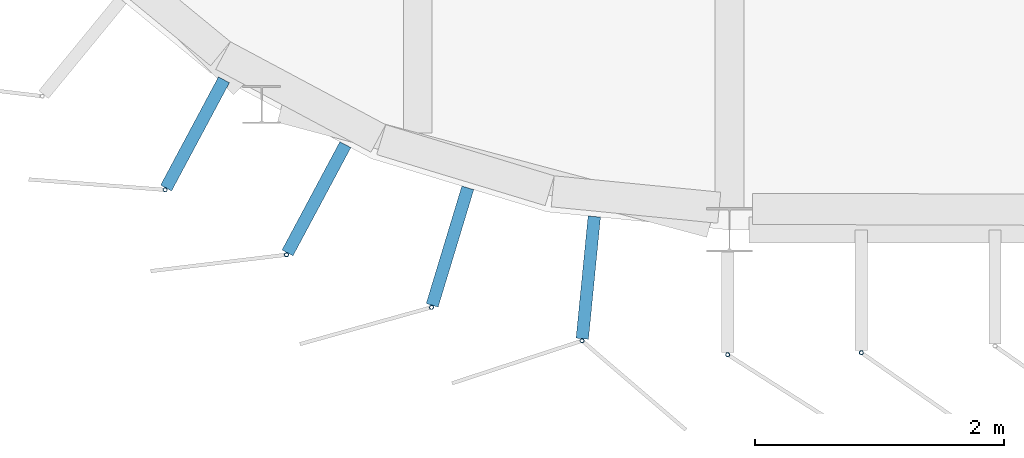
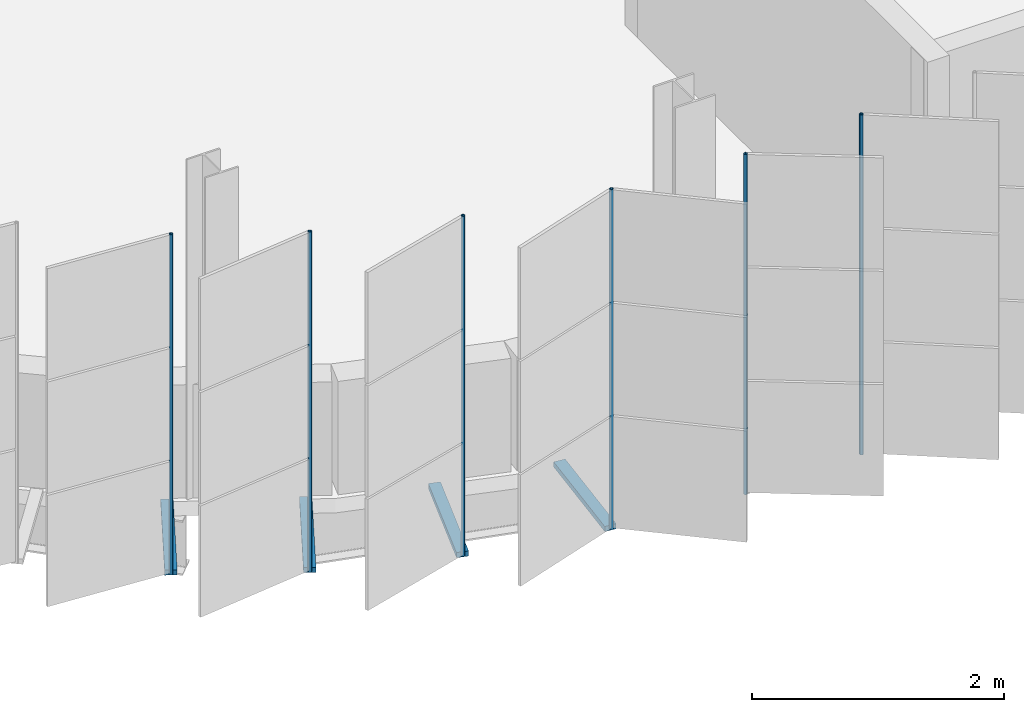
# One storey, part 82 of 214: 10 discrete accessories.
"""IFC4 building model written with IfcOpenShell, lengths in metres."""

from ifc_helpers import new_model, si_unit, direction, frame, origin, origin_2d, place, context, subcontext, project, spatial, rectangle, hollow_circle, extrude, material, material_profile, profile_set, type_object, element, save


model = new_model("IFC4")

# Units and contexts
model_context = context("Model", 3, precision=1e-05, world=origin(), true_north=direction((0.0, 1.0)))
body_context = subcontext(model_context, "Body", "Model", "MODEL_VIEW")
ifc_project = project(units=[si_unit("LENGTHUNIT", "METRE"), si_unit("AREAUNIT", "SQUARE_METRE"), si_unit("VOLUMEUNIT", "CUBIC_METRE"), si_unit("PLANEANGLEUNIT", "RADIAN"), si_unit("MASSUNIT", "GRAM", prefix="KILO")], contexts=[model_context])

# Site, building, storey
site_placement = place(None, origin())
site = spatial("IfcSite", under=ifc_project, at=site_placement, CompositionType="ELEMENT")
building_placement = place(site_placement, origin())
building = spatial("IfcBuilding", under=site, at=building_placement, Name="Parallax Yard Mobility Hub", CompositionType="ELEMENT")
storey_placement = place(building_placement, frame((0.0, 0.0, 3.300048828125)))
storey = spatial("IfcBuildingStorey", under=building, at=storey_placement, Name="L01", CompositionType="ELEMENT", Elevation=3.300048828125)

# Discrete accessories
ifc_material_1 = material(Name="Steel ASTM A36, hot-dip galvanised", Category="steel")
discrete_accessory_type_1 = type_object("IfcDiscreteAccessoryType", Name="Hinge bracket plate 100x50", PredefinedType="BRACKET", material=ifc_material_1)
for number, where, z_axis, x_axis, name in (
    (1, (25.715576171875, 113.26953125, -0.02490234375), (0.0, 0.0, 1.0), (-0.471396736826, -0.881921264348, 0.0), "Hinge bracket plate bay 72.8 level L01"),
    (2, (26.688720703125, 112.749267578125, -0.02490234375), (0.0, 0.0, 1.0), (-0.471396736826, -0.881921264348, 0.0), "Hinge bracket plate bay 72.9 level L01"),
    (3, (27.759521484375, 112.3662109375, -0.02490234375), (0.0, 0.0, 1.0), (-0.290284677254, -0.956940335732, 0.0), "Hinge bracket plate bay 72.10 level L01"),
    (4, (28.8681640625, 112.117431640625, -0.02490234375), (0.0, 0.0, 1.0), (-0.09801714033, -0.995184726672, 0.0), "Hinge bracket plate bay 72.11 level L01"),
):
    element("IfcDiscreteAccessory", number, at=place(storey_placement, frame(where, z_axis=z_axis, x_axis=x_axis)), inside=storey, type_object=discrete_accessory_type_1, Name=name, PredefinedType="BRACKET", context=body_context, shape_type="SweptSolid", body=[
        extrude(rectangle(XDim=0.984130859375, YDim=0.10009765625, at=origin_2d()), origin(), (0.0, 0.0, 1.0), 0.050048828125),
    ])
ifc_material_2 = material(Name="Steel ASTM A500 Gr C, hot-dip galvanised", Category="steel")
ifc_material_profile = material_profile(ifc_material_2, hollow_circle(Radius=0.016845703125, WallThickness=0.003173828125, at=origin_2d()), Name="CHS 33.7x3.2")
ifc_profile_set = profile_set([ifc_material_profile], Name="Steel ASTM A500 Gr C, hot-dip galvanised")
discrete_accessory_type_2 = type_object("IfcDiscreteAccessoryType", Name="Hinge post CHS 33.7x3.2", PredefinedType="BRACKET", material=ifc_profile_set)
for number, where, z_axis, x_axis, name in (
    (5, (25.475830078125, 112.821044921875, 0.0), (0.0, 0.0, 1.0), (1.0, 0.0, 0.0), "Hinge post bay 72.8 level L01"),
    (6, (26.44921875, 112.30078125, 0.0), (0.0, 0.0, 1.0), (1.0, 0.0, 0.0), "Hinge post bay 72.9 level L01"),
    (7, (27.61181640625, 111.879638671875, 0.0), (0.0, 0.0, 1.0), (1.0, 0.0, 0.0), "Hinge post bay 72.10 level L01"),
    (8, (28.818359375, 111.611572265625, 0.0), (0.0, 0.0, 1.0), (1.0, 0.0, 0.0), "Hinge post bay 72.11 level L01"),
    (9, (29.9853515625, 111.5, 0.0), (0.0, 0.0, 1.0), (1.0, 0.0, 0.0), "Hinge post bay 1.1 level L01"),
    (10, (31.056884765625, 111.51611328125, 0.0), (0.0, 0.0, 1.0), (1.0, 0.0, 0.0), "Hinge post bay 1.2 level L01"),
):
    element("IfcDiscreteAccessory", number, at=place(storey_placement, frame(where, z_axis=z_axis, x_axis=x_axis)), inside=storey, type_object=discrete_accessory_type_2, Name=name, PredefinedType="BRACKET", context=body_context, shape_type="SweptSolid", body=[
        extrude(hollow_circle(Radius=0.016845703125, WallThickness=0.003173828125, at=origin_2d()), origin(), (0.0, 0.0, 1.0), 3.300048828125),
    ])

save(model, "model.ifc")
